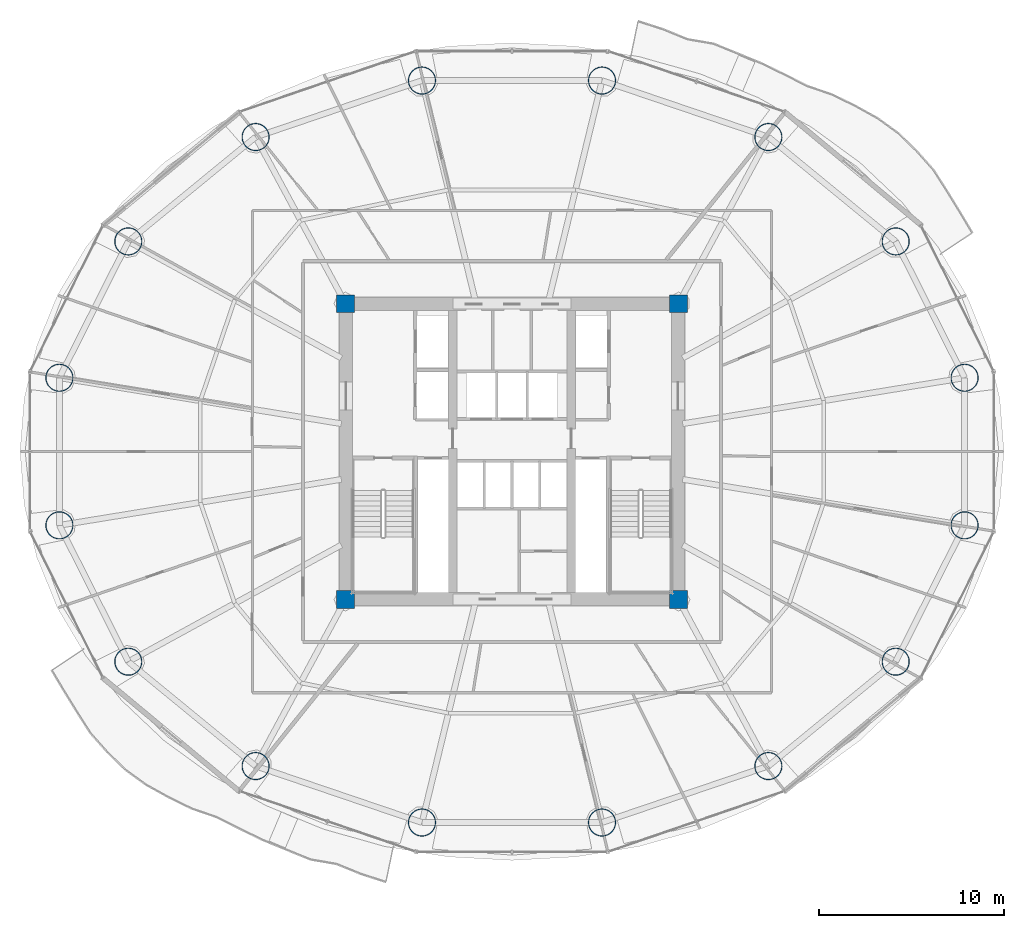
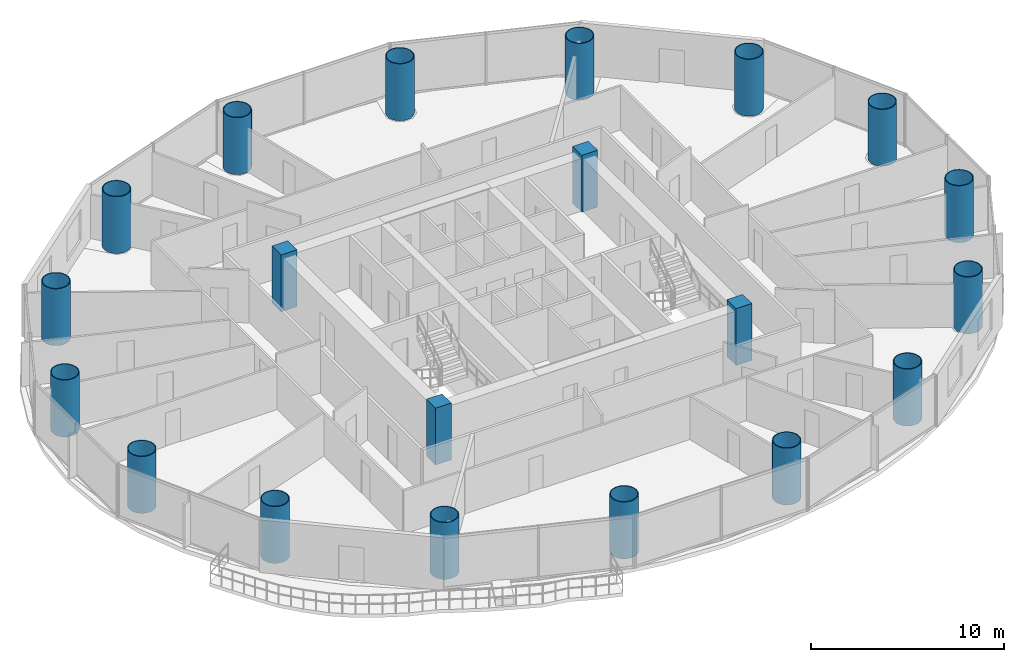
# One storey, part 1 of 29: 20 columns.
"""IFC4 building model written with IfcOpenShell, lengths in metres."""

from ifc_helpers import new_model, si_unit, direction, frame, origin, origin_2d, place, context, subcontext, project, spatial, rectangle, hollow_circle, extrude, material, material_profile, profile_set, type_object, element, save


model = new_model("IFC4")

# Units and contexts
model_context = context("Model", 3, precision=1e-05, world=origin(), true_north=direction((-0.2419218956, 0.970295726276)))
body_context = subcontext(model_context, "Body", "Model", "MODEL_VIEW")
ifc_project = project(units=[si_unit("LENGTHUNIT", "METRE"), si_unit("AREAUNIT", "SQUARE_METRE"), si_unit("VOLUMEUNIT", "CUBIC_METRE"), si_unit("PLANEANGLEUNIT", "RADIAN"), si_unit("MASSUNIT", "GRAM", prefix="KILO")], contexts=[model_context])

# Site, building, storey
site_placement = place(None, origin())
site = spatial("IfcSite", under=ifc_project, at=site_placement, CompositionType="ELEMENT")
building_placement = place(site_placement, origin())
building = spatial("IfcBuilding", under=site, at=building_placement, Name="Cobrevalo Terracotta Tower", CompositionType="ELEMENT")
storey_placement = place(building_placement, frame((0.0, 0.0, 115.800048828125)))
storey = spatial("IfcBuildingStorey", under=building, at=storey_placement, Name="L30", CompositionType="ELEMENT", Elevation=115.800048828125)

# Columns
ifc_material_1 = material(Name="Steel S355", Category="steel")
ifc_material_profile_1 = material_profile(ifc_material_1, hollow_circle(Radius=0.75, WallThickness=0.044921875, at=origin_2d()), Name="CHS 1500x45")
ifc_profile_set_1 = profile_set([ifc_material_profile_1], Name="Steel S355")
column_type_1 = type_object("IfcColumnType", Name="Structural Column CHS 1500x45 (Steel S355)", PredefinedType="COLUMN", material=ifc_profile_set_1)
for number, where, z_axis, x_axis, name in (
    (1, (62.470703125, 30.78955078125, 0.0), (0.0, 0.0, 1.0), (1.0, 0.0, 0.0), "L30 composite megacolumn MC01"),
    (2, (58.7451171875, 38.161376953125, 0.0), (0.0, 0.0, 1.0), (1.0, 0.0, 0.0), "L30 composite megacolumn MC02"),
    (3, (51.861572265625, 43.803466796875, 0.0), (0.0, 0.0, 1.0), (1.0, 0.0, 0.0), "L30 composite megacolumn MC03"),
    (4, (42.867431640625, 46.857177734375, 0.0), (0.0, 0.0, 1.0), (1.0, 0.0, 0.0), "L30 composite megacolumn MC04"),
    (5, (33.132568359375, 46.857177734375, 0.0), (0.0, 0.0, 1.0), (1.0, 0.0, 0.0), "L30 composite megacolumn MC05"),
    (6, (24.138427734375, 43.803466796875, 0.0), (0.0, 0.0, 1.0), (1.0, 0.0, 0.0), "L30 composite megacolumn MC06"),
    (7, (17.2548828125, 38.161376953125, 0.0), (0.0, 0.0, 1.0), (1.0, 0.0, 0.0), "L30 composite megacolumn MC07"),
    (8, (13.529296875, 30.78955078125, 0.0), (0.0, 0.0, 1.0), (1.0, 0.0, 0.0), "L30 composite megacolumn MC08"),
    (9, (13.529296875, 22.810302734375, 0.0), (0.0, 0.0, 1.0), (1.0, 0.0, 0.0), "L30 composite megacolumn MC09"),
    (10, (17.2548828125, 15.4384765625, 0.0), (0.0, 0.0, 1.0), (1.0, 0.0, 0.0), "L30 composite megacolumn MC10"),
    (11, (24.138427734375, 9.79638671875, 0.0), (0.0, 0.0, 1.0), (1.0, 0.0, 0.0), "L30 composite megacolumn MC11"),
    (12, (33.132568359375, 6.742919921875, 0.0), (0.0, 0.0, 1.0), (1.0, 0.0, 0.0), "L30 composite megacolumn MC12"),
    (13, (42.867431640625, 6.742919921875, 0.0), (0.0, 0.0, 1.0), (1.0, 0.0, 0.0), "L30 composite megacolumn MC13"),
    (14, (51.861572265625, 9.79638671875, 0.0), (0.0, 0.0, 1.0), (1.0, 0.0, 0.0), "L30 composite megacolumn MC14"),
    (15, (58.7451171875, 15.4384765625, 0.0), (0.0, 0.0, 1.0), (1.0, 0.0, 0.0), "L30 composite megacolumn MC15"),
    (16, (62.470703125, 22.810302734375, 0.0), (0.0, 0.0, 1.0), (1.0, 0.0, 0.0), "L30 composite megacolumn MC16"),
):
    element("IfcColumn", number, at=place(storey_placement, frame(where, z_axis=z_axis, x_axis=x_axis)), inside=storey, type_object=column_type_1, Name=name, PredefinedType="COLUMN", context=body_context, shape_type="SweptSolid", body=[
        extrude(hollow_circle(Radius=0.75, WallThickness=0.044921875, at=origin_2d()), origin(), (0.0, 0.0, 1.0), 3.599853515625),
    ])
ifc_material_2 = material(Name="Concrete C55", Category="concrete")
ifc_material_profile_2 = material_profile(ifc_material_2, rectangle(XDim=0.949951171875, YDim=0.949951171875, at=origin_2d()), Name="RC COL 950x950")
ifc_profile_set_2 = profile_set([ifc_material_profile_2], Name="Concrete C55")
column_type_2 = type_object("IfcColumnType", Name="Structural Column RC COL 950x950 (Concrete C55)", PredefinedType="COLUMN", material=ifc_profile_set_2)
for number, where, z_axis, x_axis, name in (
    (17, (29.0, 18.800048828125, 0.0), (0.0, 0.0, 1.0), (1.0, 0.0, 0.0), "L30 core corner column CC1"),
    (18, (47.0, 18.800048828125, 0.0), (0.0, 0.0, 1.0), (1.0, 0.0, 0.0), "L30 core corner column CC2"),
    (19, (47.0, 34.800048828125, 0.0), (0.0, 0.0, 1.0), (1.0, 0.0, 0.0), "L30 core corner column CC3"),
    (20, (29.0, 34.800048828125, 0.0), (0.0, 0.0, 1.0), (1.0, 0.0, 0.0), "L30 core corner column CC4"),
):
    element("IfcColumn", number, at=place(storey_placement, frame(where, z_axis=z_axis, x_axis=x_axis)), inside=storey, type_object=column_type_2, Name=name, PredefinedType="COLUMN", context=body_context, shape_type="SweptSolid", body=[
        extrude(rectangle(XDim=0.949951171875, YDim=0.949951171875, at=origin_2d()), origin(), (0.0, 0.0, 1.0), 3.599853515625),
    ])

save(model, "model.ifc")
